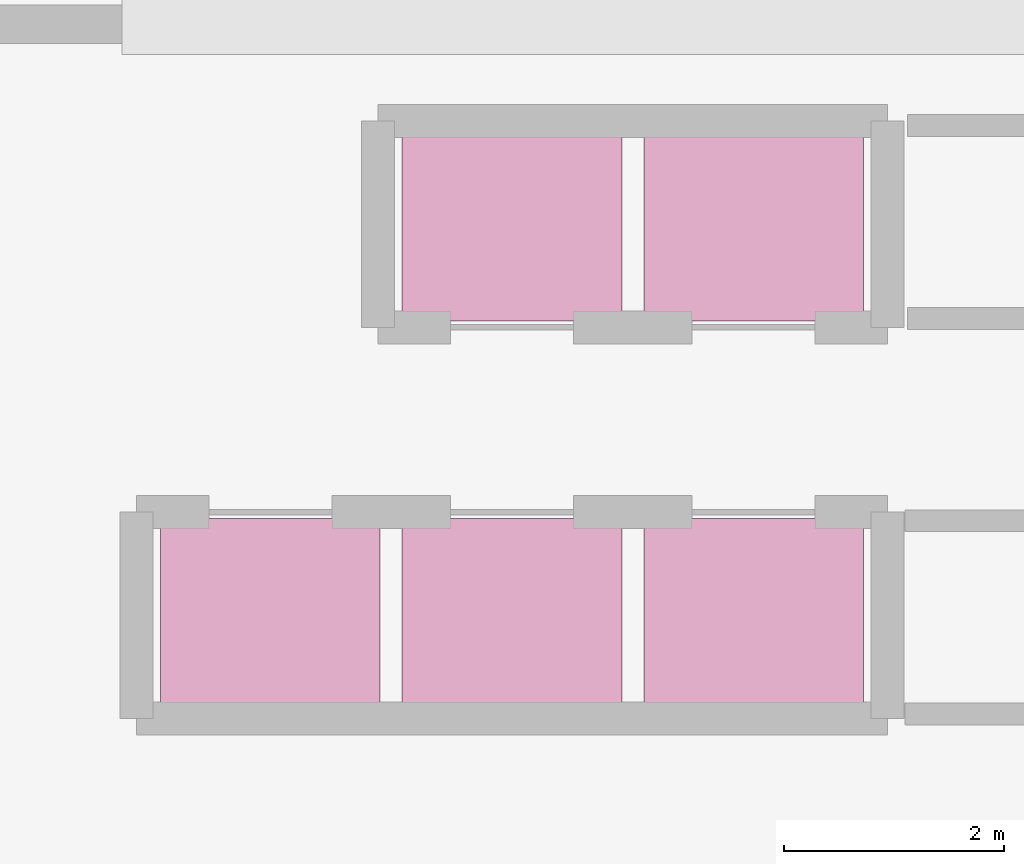
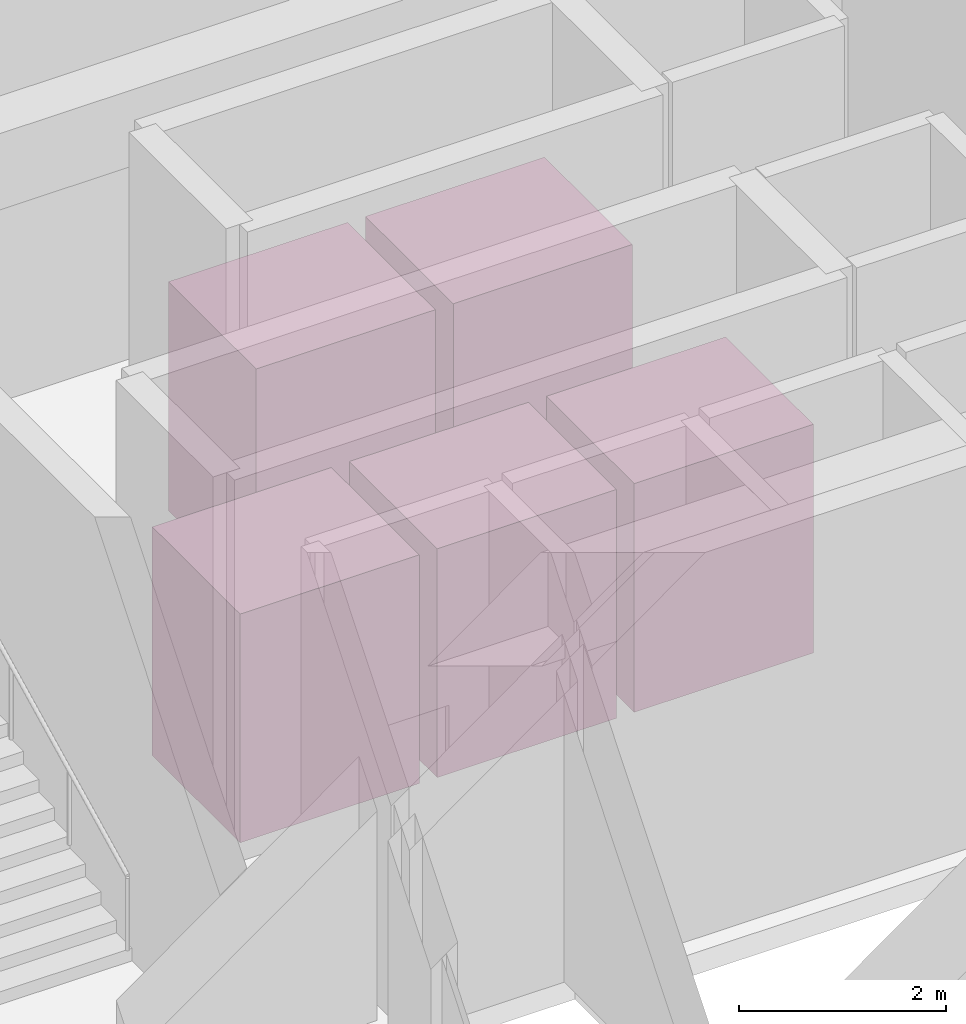
# One storey, part 33 of 33: 5 transport elements.
"""IFC4 building model written with IfcOpenShell, lengths in metres."""

from ifc_helpers import new_model, si_unit, direction, frame, origin, origin_2d, place, context, subcontext, project, spatial, rectangle, extrude, material, type_object, element, save


model = new_model("IFC4")

# Units and contexts
model_context = context("Model", 3, precision=1e-05, world=origin(), true_north=direction((0.0, 1.0)))
body_context = subcontext(model_context, "Body", "Model", "MODEL_VIEW")
ifc_project = project(units=[si_unit("LENGTHUNIT", "METRE"), si_unit("AREAUNIT", "SQUARE_METRE"), si_unit("VOLUMEUNIT", "CUBIC_METRE"), si_unit("PLANEANGLEUNIT", "RADIAN"), si_unit("MASSUNIT", "GRAM", prefix="KILO")], contexts=[model_context])

# Site, building, storey
site_placement = place(None, origin())
site = spatial("IfcSite", under=ifc_project, at=site_placement, CompositionType="ELEMENT")
building_placement = place(site_placement, origin())
building = spatial("IfcBuilding", under=site, at=building_placement, Name="Punatoya Terracotta Tower", CompositionType="ELEMENT")
storey_placement = place(building_placement, frame((0.0, 0.0, 246.60009765625)))
storey = spatial("IfcBuildingStorey", under=building, at=storey_placement, Name="L58", CompositionType="ELEMENT", Elevation=246.60009765625)

# Transport elements
ifc_material = material(Name="Brushed Stainless Steel Car Assembly", Category="steel")
transport_element_type = type_object("IfcTransportElementType", Name="LFT-PAS", PredefinedType="ELEVATOR", material=ifc_material)
for number, where, z_axis, x_axis, name in (
    (1, (-3.300048828125, -1.75, 0.0), (0.0, 0.0, 1.0), (1.0, 0.0, 0.0), "Elevator PL-H1 Car (L58-L66)"),
    (2, (-1.10009765625, -1.75, 0.0), (0.0, 0.0, 1.0), (1.0, 0.0, 0.0), "Elevator PL-H2 Car (L58-L66)"),
    (3, (1.10009765625, -1.75, 0.0), (0.0, 0.0, 1.0), (1.0, 0.0, 0.0), "Elevator PL-H3 Car (L58-L66)"),
    (4, (-1.10009765625, 1.75, 0.0), (0.0, 0.0, 1.0), (1.0, 0.0, 0.0), "Elevator PL-E1 Car (L58-L78)"),
    (5, (1.10009765625, 1.75, 0.0), (0.0, 0.0, 1.0), (1.0, 0.0, 0.0), "Elevator PL-E2 Car (L58-L78)"),
):
    element("IfcTransportElement", number, at=place(storey_placement, frame(where, z_axis=z_axis, x_axis=x_axis)), inside=storey, type_object=transport_element_type, Name=name, PredefinedType="ELEVATOR", context=body_context, shape_type="SweptSolid", body=[
        extrude(rectangle(XDim=2.0, YDim=1.699951171875, at=origin_2d()), origin(), (0.0, 0.0, 1.0), 2.699951171875),
    ])

save(model, "model.ifc")
